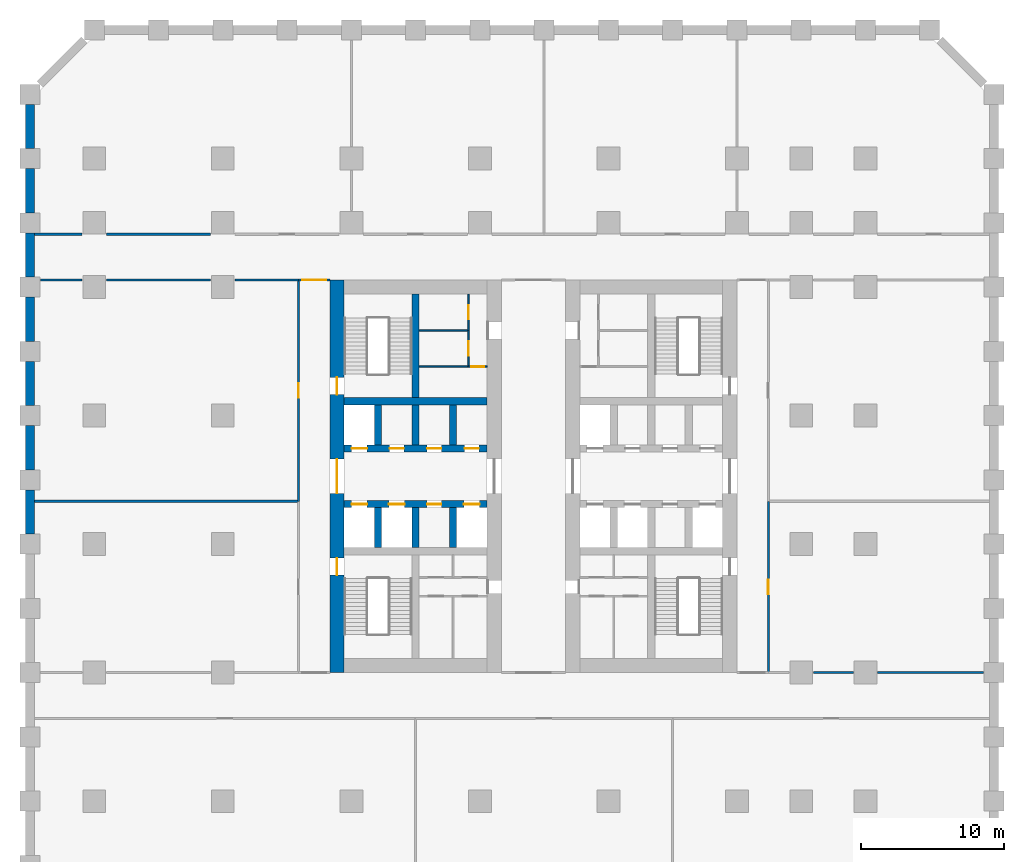
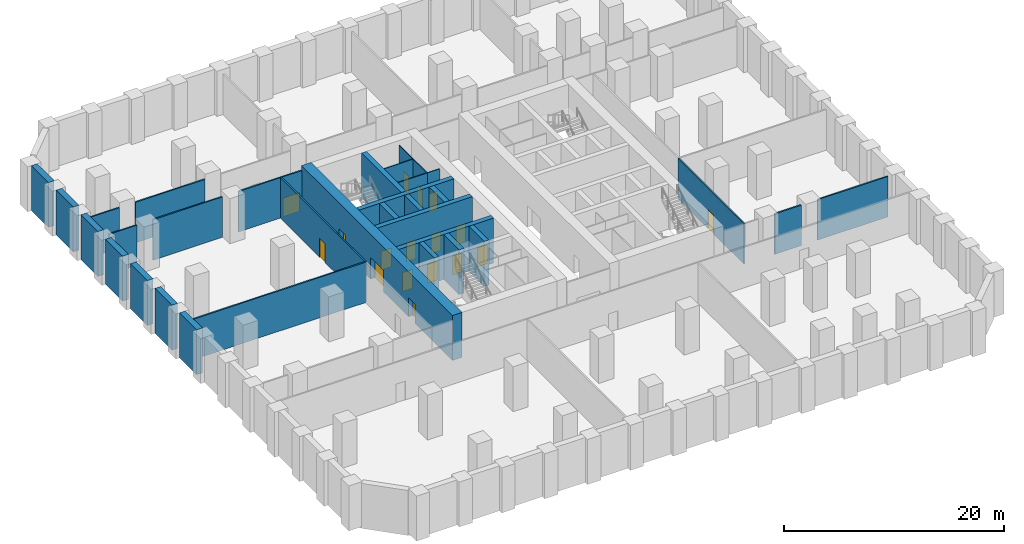
# One storey, part 3 of 7: 34 walls, 17 doors, 17 openings.
"""IFC4 building model written with IfcOpenShell, lengths in metres."""

from ifc_helpers import new_model, si_unit, direction, frame, frame_2d, origin, place, context, subcontext, project, spatial, rectangle, extrude, material, layer, layer_set, type_object, element, fill, save


model = new_model("IFC4")

# Units and contexts
model_context = context("Model", 3, precision=1e-05, world=origin(), true_north=direction((0.0, 1.0)))
body_context = subcontext(model_context, "Body", "Model", "MODEL_VIEW")
ifc_project = project(units=[si_unit("LENGTHUNIT", "METRE"), si_unit("AREAUNIT", "SQUARE_METRE"), si_unit("VOLUMEUNIT", "CUBIC_METRE"), si_unit("PLANEANGLEUNIT", "RADIAN"), si_unit("MASSUNIT", "GRAM", prefix="KILO")], contexts=[model_context])

# Site, building, storey
site_placement = place(None, origin())
site = spatial("IfcSite", under=ifc_project, at=site_placement, CompositionType="ELEMENT")
building_placement = place(site_placement, origin())
building = spatial("IfcBuilding", under=site, at=building_placement, Name="Corbel Stack Research Tower", CompositionType="ELEMENT")
storey_placement = place(building_placement, frame((0.0, 0.0, -5.0)))
storey = spatial("IfcBuildingStorey", under=building, at=storey_placement, Name="B1", CompositionType="ELEMENT", Elevation=-5.0)

# Walls
ifc_material_1 = material(Name="Concrete C45/55", Category="concrete")
ifc_layer_1 = layer(ifc_material_1, 0.60009765625)
ifc_layer_set_1 = layer_set([ifc_layer_1], Name="Concrete C45/55")
wall_type_1 = type_object("IfcWallType", Name="BW-600", PredefinedType="SOLIDWALL", material=ifc_layer_set_1)
for number, where, z_axis, x_axis, name in (
    (1, (-31.5, 30.800048828125, 0.0), (0.0, 0.0, 1.0), (0.0, -1.0, 0.0), "Basement wall B1"),
    (2, (-31.5, 26.300048828125, 0.0), (0.0, 0.0, 1.0), (0.0, -1.0, 0.0), "Basement wall B1"),
    (3, (-31.5, 21.800048828125, 0.0), (0.0, 0.0, 1.0), (0.0, -1.0, 0.0), "Basement wall B1"),
    (4, (-31.5, 17.300048828125, 0.0), (0.0, 0.0, 1.0), (0.0, -1.0, 0.0), "Basement wall B1"),
    (5, (-31.5, 12.800048828125, 0.0), (0.0, 0.0, 1.0), (0.0, -1.0, 0.0), "Basement wall B1"),
    (6, (-31.5, 8.300048828125, 0.0), (0.0, 0.0, 1.0), (0.0, -1.0, 0.0), "Basement wall B1"),
    (7, (-31.5, 3.800048828125, 0.0), (0.0, 0.0, 1.0), (0.0, -1.0, 0.0), "Basement wall B1"),
):
    element("IfcWall", number, at=place(storey_placement, frame(where, z_axis=z_axis, x_axis=x_axis)), inside=storey, type_object=wall_type_1, Name=name, PredefinedType="SOLIDWALL", context=body_context, shape_type="SweptSolid", body=[
        extrude(rectangle(XDim=3.10009765625, YDim=0.60009765625, at=frame_2d((1.550048828125, 0.0))), origin(), (0.0, 0.0, 1.0), 5.0),
    ])

# Wall, opening, door
ifc_material_2 = material(Name="Concrete block", Category="concrete")
ifc_layer_2 = layer(ifc_material_2, 0.14990234375)
ifc_layer_set_2 = layer_set([ifc_layer_2], Name="Concrete block")
wall_type_2 = type_object("IfcWallType", Name="Base partition 150 B1", PredefinedType="PARTITIONING", material=ifc_layer_set_2)
wall_1_placement = place(storey_placement, frame((-12.699951171875, 18.5, 0.0), z_axis=(0.0, 0.0, 1.0), x_axis=(1.0, 0.0, 0.0)))
wall_1 = element("IfcWall", 8, at=wall_1_placement, inside=storey, type_object=wall_type_2, Name="Partition B1", PredefinedType="PARTITIONING", context=body_context, shape_type="SweptSolid", body=[
    extrude(rectangle(XDim=2.199951171875, YDim=0.14990234375, at=frame_2d((1.10009765625, 0.0))), origin(), (0.0, 0.0, 1.0), 4.5),
])
opening_1_placement = place(wall_1_placement, frame((0.25, 0.0, 0.0)))
opening_1 = element("IfcOpeningElement", 9, at=opening_1_placement, cuts=wall_1, Name="Opening BD-B1-13", PredefinedType="OPENING", context=body_context, shape_type="SweptSolid", body=[
    extrude(rectangle(XDim=1.699951171875, YDim=2.10009765625, at=frame_2d((0.85009765625, 1.050048828125))), frame((0.0, 0.0849609375, 0.0), z_axis=(0.0, -1.0, 0.0), x_axis=(1.0, 0.0, 0.0)), (0.0, 0.0, 1.0), 0.169921875),
])
ifc_material_3 = material(Name="Painted steel fire door", Category="steel")
door_type_1 = type_object("IfcDoorType", Name="Lobby door pair 1700 x 2100 FD30S", OperationType="DOUBLE_DOOR_DOUBLE_SWING", PredefinedType="DOOR", material=ifc_material_3)
door_1_placement = place(opening_1_placement, origin())
door_1 = element("IfcDoor", 10, at=door_1_placement, inside=storey, type_object=door_type_1, Name="Stair vestibule west to Plant corridor north opening", OperationType="DOUBLE_DOOR_DOUBLE_SWING", OverallHeight=2.10009765625, OverallWidth=1.699951171875, PredefinedType="DOOR", context=body_context, shape_type="SweptSolid", body=[
    extrude(rectangle(XDim=1.699951171875, YDim=2.10009765625, at=frame_2d((0.85009765625, 1.050048828125))), frame((0.0, 0.02490234375, 0.0), z_axis=(0.0, -1.0, 0.0), x_axis=(1.0, 0.0, 0.0)), (0.0, 0.0, 1.0), 0.050048828125),
])
fill(opening_1, door_1)

wall_2_placement = place(storey_placement, frame((-12.699951171875, 3.0, 0.0), z_axis=(0.0, 0.0, 1.0), x_axis=(0.0, 1.0, 0.0)))
wall_2 = element("IfcWall", 11, at=wall_2_placement, inside=storey, type_object=wall_type_2, Name="Partition B1", PredefinedType="PARTITIONING", context=body_context, shape_type="SweptSolid", body=[
    extrude(rectangle(XDim=15.5, YDim=0.14990234375, at=frame_2d((7.75, 0.0))), origin(), (0.0, 0.0, 1.0), 4.5),
])
opening_2_placement = place(wall_2_placement, frame((7.25, 0.0, 0.0)))
opening_2 = element("IfcOpeningElement", 12, at=opening_2_placement, cuts=wall_2, Name="Opening BD-B1-05", PredefinedType="OPENING", context=body_context, shape_type="SweptSolid", body=[
    extrude(rectangle(XDim=1.0, YDim=2.10009765625, at=frame_2d((0.5, 1.050048828125))), frame((0.0, 0.0849609375, 0.0), z_axis=(0.0, -1.0, 0.0), x_axis=(1.0, 0.0, 0.0)), (0.0, 0.0, 1.0), 0.169921875),
])
ifc_material_4 = material(Name="Painted steel door", Category="steel")
door_type_2 = type_object("IfcDoorType", Name="Service door 1000 x 2100 FD60 left hand", OperationType="SINGLE_SWING_LEFT", PredefinedType="DOOR", material=ifc_material_4)
door_2_placement = place(opening_2_placement, origin())
door_2 = element("IfcDoor", 13, at=door_2_placement, inside=storey, type_object=door_type_2, Name="Laboratory support store door", OperationType="SINGLE_SWING_LEFT", OverallHeight=2.10009765625, OverallWidth=1.0, PredefinedType="DOOR", context=body_context, shape_type="SweptSolid", body=[
    extrude(rectangle(XDim=1.0, YDim=2.10009765625, at=frame_2d((0.5, 1.050048828125))), frame((0.0, 0.02490234375, 0.0), z_axis=(0.0, -1.0, 0.0), x_axis=(1.0, 0.0, 0.0)), (0.0, 0.0, 1.0), 0.050048828125),
])
fill(opening_2, door_2)

wall_3_placement = place(storey_placement, frame((20.199951171875, -9.0, 0.0), z_axis=(0.0, 0.0, 1.0), x_axis=(0.0, 1.0, 0.0)))
wall_3 = element("IfcWall", 14, at=wall_3_placement, inside=storey, type_object=wall_type_2, Name="Partition B1", PredefinedType="PARTITIONING", context=body_context, shape_type="SweptSolid", body=[
    extrude(rectangle(XDim=12.0, YDim=0.14990234375, at=frame_2d((6.0, 0.0))), origin(), (0.0, 0.0, 1.0), 4.5),
])
opening_3_placement = place(wall_3_placement, frame((5.5, 0.0, 0.0)))
opening_3 = element("IfcOpeningElement", 15, at=opening_3_placement, cuts=wall_3, Name="Opening BD-B1-06", PredefinedType="OPENING", context=body_context, shape_type="SweptSolid", body=[
    extrude(rectangle(XDim=1.0, YDim=2.10009765625, at=frame_2d((0.5, 1.050048828125))), frame((0.0, 0.0849609375, 0.0), z_axis=(0.0, -1.0, 0.0), x_axis=(1.0, 0.0, 0.0)), (0.0, 0.0, 1.0), 0.169921875),
])
ifc_material_5 = material(Name="Painted steel door", Category="steel")
door_type_3 = type_object("IfcDoorType", Name="Riser door 1000 x 2100 FD60 right hand", OperationType="SINGLE_SWING_RIGHT", PredefinedType="DOOR", material=ifc_material_5)
door_3_placement = place(opening_3_placement, origin())
door_3 = element("IfcDoor", 16, at=door_3_placement, inside=storey, type_object=door_type_3, Name="Electrical switchgear room door", OperationType="SINGLE_SWING_RIGHT", OverallHeight=2.10009765625, OverallWidth=1.0, PredefinedType="DOOR", context=body_context, shape_type="SweptSolid", body=[
    extrude(rectangle(XDim=1.0, YDim=2.10009765625, at=frame_2d((0.5, 1.050048828125))), frame((0.0, 0.02490234375, 0.0), z_axis=(0.0, -1.0, 0.0), x_axis=(1.0, 0.0, 0.0)), (0.0, 0.0, 1.0), 0.050048828125),
])
fill(opening_3, door_3)

# Walls
wall_4_placement = place(storey_placement, frame((27.85009765625, -9.0, 0.0), z_axis=(0.0, 0.0, 1.0), x_axis=(1.0, 0.0, 0.0)))
element("IfcWall", 17, at=wall_4_placement, inside=storey, type_object=wall_type_2, Name="Partition B1", PredefinedType="PARTITIONING", context=body_context, shape_type="SweptSolid", body=[
    extrude(rectangle(XDim=7.39990234375, YDim=0.14990234375, at=frame_2d((3.699951171875, 0.0))), origin(), (0.0, 0.0, 1.0), 4.5),
])
wall_5_placement = place(storey_placement, frame((23.35009765625, -9.0, 0.0), z_axis=(0.0, 0.0, 1.0), x_axis=(1.0, 0.0, 0.0)))
element("IfcWall", 18, at=wall_5_placement, inside=storey, type_object=wall_type_2, Name="Partition B1", PredefinedType="PARTITIONING", context=body_context, shape_type="SweptSolid", body=[
    extrude(rectangle(XDim=2.7998046875, YDim=0.14990234375, at=frame_2d((1.39990234375, 0.0))), origin(), (0.0, 0.0, 1.0), 4.5),
])
wall_6_placement = place(storey_placement, frame((-30.75, 18.5, 0.0), z_axis=(0.0, 0.0, 1.0), x_axis=(1.0, 0.0, 0.0)))
element("IfcWall", 19, at=wall_6_placement, inside=storey, type_object=wall_type_2, Name="Partition B1", PredefinedType="PARTITIONING", context=body_context, shape_type="SweptSolid", body=[
    extrude(rectangle(XDim=2.89990234375, YDim=0.14990234375, at=frame_2d((1.449951171875, 0.0))), origin(), (0.0, 0.0, 1.0), 4.5),
])
wall_7_placement = place(storey_placement, frame((-26.14990234375, 18.5, 0.0), z_axis=(0.0, 0.0, 1.0), x_axis=(1.0, 0.0, 0.0)))
element("IfcWall", 20, at=wall_7_placement, inside=storey, type_object=wall_type_2, Name="Partition B1", PredefinedType="PARTITIONING", context=body_context, shape_type="SweptSolid", body=[
    extrude(rectangle(XDim=7.2998046875, YDim=0.14990234375, at=frame_2d((3.64990234375, 0.0))), origin(), (0.0, 0.0, 1.0), 4.5),
])
wall_8_placement = place(storey_placement, frame((-17.14990234375, 18.5, 0.0), z_axis=(0.0, 0.0, 1.0), x_axis=(1.0, 0.0, 0.0)))
element("IfcWall", 21, at=wall_8_placement, inside=storey, type_object=wall_type_2, Name="Partition B1", PredefinedType="PARTITIONING", context=body_context, shape_type="SweptSolid", body=[
    extrude(rectangle(XDim=4.449951171875, YDim=0.14990234375, at=frame_2d((2.22509765625, 0.0))), origin(), (0.0, 0.0, 1.0), 4.5),
])
wall_9_placement = place(storey_placement, frame((-26.14990234375, 21.699951171875, 0.0), z_axis=(0.0, 0.0, 1.0), x_axis=(1.0, 0.0, 0.0)))
element("IfcWall", 22, at=wall_9_placement, inside=storey, type_object=wall_type_2, Name="Partition B1", PredefinedType="PARTITIONING", context=body_context, shape_type="SweptSolid", body=[
    extrude(rectangle(XDim=7.2998046875, YDim=0.14990234375, at=frame_2d((3.64990234375, 0.0))), origin(), (0.0, 0.0, 1.0), 4.5),
])
wall_10_placement = place(storey_placement, frame((-31.199951171875, 21.699951171875, 0.0), z_axis=(0.0, 0.0, 1.0), x_axis=(1.0, 0.0, 0.0)))
element("IfcWall", 23, at=wall_10_placement, inside=storey, type_object=wall_type_2, Name="Partition B1", PredefinedType="PARTITIONING", context=body_context, shape_type="SweptSolid", body=[
    extrude(rectangle(XDim=3.349853515625, YDim=0.14990234375, at=frame_2d((1.6748046875, 0.0))), origin(), (0.0, 0.0, 1.0), 4.5),
])
wall_11_placement = place(storey_placement, frame((-31.199951171875, 3.0, 0.0), z_axis=(0.0, 0.0, 1.0), x_axis=(1.0, 0.0, 0.0)))
element("IfcWall", 24, at=wall_11_placement, inside=storey, type_object=wall_type_2, Name="Partition B1", PredefinedType="PARTITIONING", context=body_context, shape_type="SweptSolid", body=[
    extrude(rectangle(XDim=18.5, YDim=0.14990234375, at=frame_2d((9.25, 0.0))), origin(), (0.0, 0.0, 1.0), 4.5),
])

# Wall, openings, doors
ifc_material_6 = material(Name="Concrete C70/85", Category="concrete")
ifc_layer_3 = layer(ifc_material_6, 1.0)
ifc_layer_set_3 = layer_set([ifc_layer_3], Name="Concrete C70/85")
wall_type_3 = type_object("IfcWallType", Name="CW-1000-70", PredefinedType="SHEAR", material=ifc_layer_set_3)
wall_12_placement = place(storey_placement, frame((-10.0, -9.0, 0.0), z_axis=(0.0, 0.0, 1.0), x_axis=(0.0, 1.0, 0.0)))
wall_12 = element("IfcWall", 25, at=wall_12_placement, inside=storey, type_object=wall_type_3, Name="West core wall, west face B1", PredefinedType="SHEAR", context=body_context, shape_type="SweptSolid", body=[
    extrude(rectangle(XDim=27.5, YDim=1.0, at=frame_2d((13.75, 0.0))), origin(), (0.0, 0.0, 1.0), 5.0),
])
opening_4_placement = place(wall_12_placement, frame((12.550048828125, 0.0, 0.0)))
opening_4 = element("IfcOpeningElement", 26, at=opening_4_placement, cuts=wall_12, Name="Opening CD-W-W", PredefinedType="OPENING", context=body_context, shape_type="SweptSolid", body=[
    extrude(rectangle(XDim=2.39990234375, YDim=2.39990234375, at=frame_2d((1.199951171875, 1.199951171875))), frame((0.0, 0.510009765625, 0.0), z_axis=(0.0, -1.0, 0.0), x_axis=(1.0, 0.0, 0.0)), (0.0, 0.0, 1.0), 1.02001953125),
])
opening_5_placement = place(wall_12_placement, frame((6.824951171875, 0.0, 0.0)))
opening_5 = element("IfcOpeningElement", 27, at=opening_5_placement, cuts=wall_12, Name="Opening SD-ST-W1", PredefinedType="OPENING", context=body_context, shape_type="SweptSolid", body=[
    extrude(rectangle(XDim=1.199951171875, YDim=2.10009765625, at=frame_2d((0.60009765625, 1.050048828125))), frame((0.0, 0.510009765625, 0.0), z_axis=(0.0, -1.0, 0.0), x_axis=(1.0, 0.0, 0.0)), (0.0, 0.0, 1.0), 1.02001953125),
])
opening_6_placement = place(wall_12_placement, frame((19.47509765625, 0.0, 0.0)))
opening_6 = element("IfcOpeningElement", 28, at=opening_6_placement, cuts=wall_12, Name="Opening SD-ST-W2", PredefinedType="OPENING", context=body_context, shape_type="SweptSolid", body=[
    extrude(rectangle(XDim=1.199951171875, YDim=2.10009765625, at=frame_2d((0.60009765625, 1.050048828125))), frame((0.0, 0.510009765625, 0.0), z_axis=(0.0, -1.0, 0.0), x_axis=(1.0, 0.0, 0.0)), (0.0, 0.0, 1.0), 1.02001953125),
])
ifc_material_7 = material(Name="Painted steel fire door", Category="steel")
door_type_4 = type_object("IfcDoorType", Name="Lobby door pair 2400 x 2400 FD30S", OperationType="DOUBLE_DOOR_DOUBLE_SWING", PredefinedType="DOOR", material=ifc_material_7)
door_4_placement = place(opening_4_placement, origin())
door_4 = element("IfcDoor", 29, at=door_4_placement, inside=storey, type_object=door_type_4, Name="Lift lobby door W core W", OperationType="DOUBLE_DOOR_DOUBLE_SWING", OverallHeight=2.39990234375, OverallWidth=2.39990234375, PredefinedType="DOOR", context=body_context, shape_type="SweptSolid", body=[
    extrude(rectangle(XDim=2.39990234375, YDim=2.39990234375, at=frame_2d((1.199951171875, 1.199951171875))), frame((0.0, 0.02490234375, 0.0), z_axis=(0.0, -1.0, 0.0), x_axis=(1.0, 0.0, 0.0)), (0.0, 0.0, 1.0), 0.050048828125),
])
fill(opening_4, door_4)
ifc_material_8 = material(Name="Painted steel fire door", Category="steel")
door_type_5 = type_object("IfcDoorType", Name="Stair door 1200 x 2100 FD90 left hand", OperationType="SINGLE_SWING_LEFT", PredefinedType="DOOR", material=ifc_material_8)
door_5_placement = place(opening_5_placement, origin())
door_5 = element("IfcDoor", 30, at=door_5_placement, inside=storey, type_object=door_type_5, Name="Stair door ST-W1", OperationType="SINGLE_SWING_LEFT", OverallHeight=2.10009765625, OverallWidth=1.199951171875, PredefinedType="DOOR", context=body_context, shape_type="SweptSolid", body=[
    extrude(rectangle(XDim=1.199951171875, YDim=2.10009765625, at=frame_2d((0.60009765625, 1.050048828125))), frame((0.0, 0.02490234375, 0.0), z_axis=(0.0, -1.0, 0.0), x_axis=(1.0, 0.0, 0.0)), (0.0, 0.0, 1.0), 0.050048828125),
])
fill(opening_5, door_5)
door_6_placement = place(opening_6_placement, origin())
door_6 = element("IfcDoor", 31, at=door_6_placement, inside=storey, type_object=door_type_5, Name="Stair door ST-W2", OperationType="SINGLE_SWING_LEFT", OverallHeight=2.10009765625, OverallWidth=1.199951171875, PredefinedType="DOOR", context=body_context, shape_type="SweptSolid", body=[
    extrude(rectangle(XDim=1.199951171875, YDim=2.10009765625, at=frame_2d((0.60009765625, 1.050048828125))), frame((0.0, 0.02490234375, 0.0), z_axis=(0.0, -1.0, 0.0), x_axis=(1.0, 0.0, 0.0)), (0.0, 0.0, 1.0), 0.050048828125),
])
fill(opening_6, door_6)

ifc_material_9 = material(Name="Concrete C70/85", Category="concrete")
ifc_layer_4 = layer(ifc_material_9, 0.5)
ifc_layer_set_4 = layer_set([ifc_layer_4], Name="Concrete C70/85")
wall_type_4 = type_object("IfcWallType", Name="CW-500-70", PredefinedType="SHEAR", material=ifc_layer_set_4)
wall_13_placement = place(storey_placement, frame((-9.5, 2.800048828125, 0.0), z_axis=(0.0, 0.0, 1.0), x_axis=(1.0, 0.0, 0.0)))
wall_13 = element("IfcWall", 32, at=wall_13_placement, inside=storey, type_object=wall_type_4, Name="West core wall, lobby south B1", PredefinedType="SHEAR", context=body_context, shape_type="SweptSolid", body=[
    extrude(rectangle(XDim=10.0, YDim=0.5, at=frame_2d((5.0, 0.0))), origin(), (0.0, 0.0, 1.0), 5.0),
])
opening_7_placement = place(wall_13_placement, frame((0.512451171875, 0.0, 0.0)))
opening_7 = element("IfcOpeningElement", 33, at=opening_7_placement, cuts=wall_13, Name="Opening LD-FS1", PredefinedType="OPENING", context=body_context, shape_type="SweptSolid", body=[
    extrude(rectangle(XDim=1.10009765625, YDim=2.10009765625, at=frame_2d((0.550048828125, 1.050048828125))), frame((0.0, 0.260009765625, 0.0), z_axis=(0.0, -1.0, 0.0), x_axis=(1.0, 0.0, 0.0)), (0.0, 0.0, 1.0), 0.52001953125),
])
opening_8_placement = place(wall_13_placement, frame((3.137451171875, 0.0, 0.0)))
opening_8 = element("IfcOpeningElement", 34, at=opening_8_placement, cuts=wall_13, Name="Opening LD-GL1", PredefinedType="OPENING", context=body_context, shape_type="SweptSolid", body=[
    extrude(rectangle(XDim=1.10009765625, YDim=2.10009765625, at=frame_2d((0.550048828125, 1.050048828125))), frame((0.0, 0.260009765625, 0.0), z_axis=(0.0, -1.0, 0.0), x_axis=(1.0, 0.0, 0.0)), (0.0, 0.0, 1.0), 0.52001953125),
])
opening_9_placement = place(wall_13_placement, frame((8.387451171875, 0.0, 0.0)))
opening_9 = element("IfcOpeningElement", 35, at=opening_9_placement, cuts=wall_13, Name="Opening LD-LR1", PredefinedType="OPENING", context=body_context, shape_type="SweptSolid", body=[
    extrude(rectangle(XDim=1.10009765625, YDim=2.10009765625, at=frame_2d((0.550048828125, 1.050048828125))), frame((0.0, 0.260009765625, 0.0), z_axis=(0.0, -1.0, 0.0), x_axis=(1.0, 0.0, 0.0)), (0.0, 0.0, 1.0), 0.52001953125),
])
opening_10_placement = place(wall_13_placement, frame((5.8125, 0.0, 0.0)))
opening_10 = element("IfcOpeningElement", 36, at=opening_10_placement, cuts=wall_13, Name="Opening CR-W54-S3", PredefinedType="OPENING", context=body_context, shape_type="SweptSolid", body=[
    extrude(rectangle(XDim=1.0, YDim=2.10009765625, at=frame_2d((0.5, 1.050048828125))), frame((0.0, 0.260009765625, 0.0), z_axis=(0.0, -1.0, 0.0), x_axis=(1.0, 0.0, 0.0)), (0.0, 0.0, 1.0), 0.52001953125),
])
ifc_material_10 = material(Name="Stainless steel landing door", Category="steel")
door_type_6 = type_object("IfcDoorType", Name="Lift landing door 1100 x 2100", OperationType="DOUBLE_DOOR_SLIDING", PredefinedType="DOOR", material=ifc_material_10)
door_7_placement = place(opening_7_placement, origin())
door_7 = element("IfcDoor", 37, at=door_7_placement, inside=storey, type_object=door_type_6, Name="Landing door FS1", OperationType="DOUBLE_DOOR_SLIDING", OverallHeight=2.10009765625, OverallWidth=1.10009765625, PredefinedType="DOOR", context=body_context, shape_type="SweptSolid", body=[
    extrude(rectangle(XDim=1.10009765625, YDim=2.10009765625, at=frame_2d((0.550048828125, 1.050048828125))), frame((0.0, 0.02490234375, 0.0), z_axis=(0.0, -1.0, 0.0), x_axis=(1.0, 0.0, 0.0)), (0.0, 0.0, 1.0), 0.050048828125),
])
fill(opening_7, door_7)
door_8_placement = place(opening_8_placement, origin())
door_8 = element("IfcDoor", 38, at=door_8_placement, inside=storey, type_object=door_type_6, Name="Landing door GL1", OperationType="DOUBLE_DOOR_SLIDING", OverallHeight=2.10009765625, OverallWidth=1.10009765625, PredefinedType="DOOR", context=body_context, shape_type="SweptSolid", body=[
    extrude(rectangle(XDim=1.10009765625, YDim=2.10009765625, at=frame_2d((0.550048828125, 1.050048828125))), frame((0.0, 0.02490234375, 0.0), z_axis=(0.0, -1.0, 0.0), x_axis=(1.0, 0.0, 0.0)), (0.0, 0.0, 1.0), 0.050048828125),
])
fill(opening_8, door_8)
door_9_placement = place(opening_9_placement, origin())
door_9 = element("IfcDoor", 39, at=door_9_placement, inside=storey, type_object=door_type_6, Name="Landing door LR1", OperationType="DOUBLE_DOOR_SLIDING", OverallHeight=2.10009765625, OverallWidth=1.10009765625, PredefinedType="DOOR", context=body_context, shape_type="SweptSolid", body=[
    extrude(rectangle(XDim=1.10009765625, YDim=2.10009765625, at=frame_2d((0.550048828125, 1.050048828125))), frame((0.0, 0.02490234375, 0.0), z_axis=(0.0, -1.0, 0.0), x_axis=(1.0, 0.0, 0.0)), (0.0, 0.0, 1.0), 0.050048828125),
])
fill(opening_9, door_9)
door_10_placement = place(opening_10_placement, origin())
door_10 = element("IfcDoor", 40, at=door_10_placement, inside=storey, type_object=door_type_2, Name="Electrical switch room door W core", OperationType="SINGLE_SWING_LEFT", OverallHeight=2.10009765625, OverallWidth=1.0, PredefinedType="DOOR", context=body_context, shape_type="SweptSolid", body=[
    extrude(rectangle(XDim=1.0, YDim=2.10009765625, at=frame_2d((0.5, 1.050048828125))), frame((0.0, 0.02490234375, 0.0), z_axis=(0.0, -1.0, 0.0), x_axis=(1.0, 0.0, 0.0)), (0.0, 0.0, 1.0), 0.050048828125),
])
fill(opening_10, door_10)

wall_14_placement = place(storey_placement, frame((-9.5, 6.699951171875, 0.0), z_axis=(0.0, 0.0, 1.0), x_axis=(1.0, 0.0, 0.0)))
wall_14 = element("IfcWall", 41, at=wall_14_placement, inside=storey, type_object=wall_type_4, Name="West core wall, lobby north B1", PredefinedType="SHEAR", context=body_context, shape_type="SweptSolid", body=[
    extrude(rectangle(XDim=10.0, YDim=0.5, at=frame_2d((5.0, 0.0))), origin(), (0.0, 0.0, 1.0), 5.0),
])
opening_11_placement = place(wall_14_placement, frame((0.512451171875, 0.0, 0.0)))
opening_11 = element("IfcOpeningElement", 42, at=opening_11_placement, cuts=wall_14, Name="Opening LD-LR2", PredefinedType="OPENING", context=body_context, shape_type="SweptSolid", body=[
    extrude(rectangle(XDim=1.10009765625, YDim=2.10009765625, at=frame_2d((0.550048828125, 1.050048828125))), frame((0.0, 0.260009765625, 0.0), z_axis=(0.0, -1.0, 0.0), x_axis=(1.0, 0.0, 0.0)), (0.0, 0.0, 1.0), 0.52001953125),
])
opening_12_placement = place(wall_14_placement, frame((3.1875, 0.0, 0.0)))
opening_12 = element("IfcOpeningElement", 43, at=opening_12_placement, cuts=wall_14, Name="Opening CR-W54-N2", PredefinedType="OPENING", context=body_context, shape_type="SweptSolid", body=[
    extrude(rectangle(XDim=1.0, YDim=2.10009765625, at=frame_2d((0.5, 1.050048828125))), frame((0.0, 0.260009765625, 0.0), z_axis=(0.0, -1.0, 0.0), x_axis=(1.0, 0.0, 0.0)), (0.0, 0.0, 1.0), 0.52001953125),
])
opening_13_placement = place(wall_14_placement, frame((5.8125, 0.0, 0.0)))
opening_13 = element("IfcOpeningElement", 44, at=opening_13_placement, cuts=wall_14, Name="Opening CR-W54-N3", PredefinedType="OPENING", context=body_context, shape_type="SweptSolid", body=[
    extrude(rectangle(XDim=1.0, YDim=2.10009765625, at=frame_2d((0.5, 1.050048828125))), frame((0.0, 0.260009765625, 0.0), z_axis=(0.0, -1.0, 0.0), x_axis=(1.0, 0.0, 0.0)), (0.0, 0.0, 1.0), 0.52001953125),
])
opening_14_placement = place(wall_14_placement, frame((8.4375, 0.0, 0.0)))
opening_14 = element("IfcOpeningElement", 45, at=opening_14_placement, cuts=wall_14, Name="Opening CR-W54-N4", PredefinedType="OPENING", context=body_context, shape_type="SweptSolid", body=[
    extrude(rectangle(XDim=1.0, YDim=2.10009765625, at=frame_2d((0.5, 1.050048828125))), frame((0.0, 0.260009765625, 0.0), z_axis=(0.0, -1.0, 0.0), x_axis=(1.0, 0.0, 0.0)), (0.0, 0.0, 1.0), 0.52001953125),
])
door_11_placement = place(opening_11_placement, origin())
door_11 = element("IfcDoor", 46, at=door_11_placement, inside=storey, type_object=door_type_6, Name="Landing door LR2", OperationType="DOUBLE_DOOR_SLIDING", OverallHeight=2.10009765625, OverallWidth=1.10009765625, PredefinedType="DOOR", context=body_context, shape_type="SweptSolid", body=[
    extrude(rectangle(XDim=1.10009765625, YDim=2.10009765625, at=frame_2d((0.550048828125, 1.050048828125))), frame((0.0, 0.02490234375, 0.0), z_axis=(0.0, -1.0, 0.0), x_axis=(1.0, 0.0, 0.0)), (0.0, 0.0, 1.0), 0.050048828125),
])
fill(opening_11, door_11)
door_12_placement = place(opening_13_placement, origin())
door_12 = element("IfcDoor", 47, at=door_12_placement, inside=storey, type_object=door_type_2, Name="Telecom room door W core", OperationType="SINGLE_SWING_LEFT", OverallHeight=2.10009765625, OverallWidth=1.0, PredefinedType="DOOR", context=body_context, shape_type="SweptSolid", body=[
    extrude(rectangle(XDim=1.0, YDim=2.10009765625, at=frame_2d((0.5, 1.050048828125))), frame((0.0, 0.02490234375, 0.0), z_axis=(0.0, -1.0, 0.0), x_axis=(1.0, 0.0, 0.0)), (0.0, 0.0, 1.0), 0.050048828125),
])
fill(opening_13, door_12)
ifc_material_11 = material(Name="Painted steel door", Category="steel")
door_type_7 = type_object("IfcDoorType", Name="Service door 1000 x 2100 FD60 right hand", OperationType="SINGLE_SWING_RIGHT", PredefinedType="DOOR", material=ifc_material_11)
door_13_placement = place(opening_12_placement, origin())
door_13 = element("IfcDoor", 48, at=door_13_placement, inside=storey, type_object=door_type_7, Name="Pump room door W core", OperationType="SINGLE_SWING_RIGHT", OverallHeight=2.10009765625, OverallWidth=1.0, PredefinedType="DOOR", context=body_context, shape_type="SweptSolid", body=[
    extrude(rectangle(XDim=1.0, YDim=2.10009765625, at=frame_2d((0.5, 1.050048828125))), frame((0.0, 0.02490234375, 0.0), z_axis=(0.0, -1.0, 0.0), x_axis=(1.0, 0.0, 0.0)), (0.0, 0.0, 1.0), 0.050048828125),
])
fill(opening_12, door_13)
door_14_placement = place(opening_14_placement, origin())
door_14 = element("IfcDoor", 49, at=door_14_placement, inside=storey, type_object=door_type_7, Name="Electrical switch room door W core", OperationType="SINGLE_SWING_RIGHT", OverallHeight=2.10009765625, OverallWidth=1.0, PredefinedType="DOOR", context=body_context, shape_type="SweptSolid", body=[
    extrude(rectangle(XDim=1.0, YDim=2.10009765625, at=frame_2d((0.5, 1.050048828125))), frame((0.0, 0.02490234375, 0.0), z_axis=(0.0, -1.0, 0.0), x_axis=(1.0, 0.0, 0.0)), (0.0, 0.0, 1.0), 0.050048828125),
])
fill(opening_14, door_14)

# Walls
wall_15_placement = place(storey_placement, frame((-9.5, 10.0, 0.0), z_axis=(0.0, 0.0, 1.0), x_axis=(1.0, 0.0, 0.0)))
element("IfcWall", 50, at=wall_15_placement, inside=storey, type_object=wall_type_4, Name="West core wall, north row back B1", PredefinedType="SHEAR", context=body_context, shape_type="SweptSolid", body=[
    extrude(rectangle(XDim=10.0, YDim=0.5, at=frame_2d((5.0, 0.0))), origin(), (0.0, 0.0, 1.0), 5.0),
])
for number, where, z_axis, x_axis, name in (
    (51, (-7.125, -0.25, 0.0), (0.0, 0.0, 1.0), (0.0, 1.0, 0.0), "West core wall, south shaft 1 B1"),
    (52, (-7.125, 6.949951171875, 0.0), (0.0, 0.0, 1.0), (0.0, 1.0, 0.0), "West core wall, north shaft 1 B1"),
    (53, (-4.5, -0.25, 0.0), (0.0, 0.0, 1.0), (0.0, 1.0, 0.0), "West core wall, south shaft 2 B1"),
    (54, (-4.5, 6.949951171875, 0.0), (0.0, 0.0, 1.0), (0.0, 1.0, 0.0), "West core wall, north shaft 2 B1"),
    (55, (-1.875, -0.25, 0.0), (0.0, 0.0, 1.0), (0.0, 1.0, 0.0), "West core wall, south shaft 3 B1"),
    (56, (-1.875, 6.949951171875, 0.0), (0.0, 0.0, 1.0), (0.0, 1.0, 0.0), "West core wall, north shaft 3 B1"),
):
    element("IfcWall", number, at=place(storey_placement, frame(where, z_axis=z_axis, x_axis=x_axis)), inside=storey, type_object=wall_type_4, Name=name, PredefinedType="SHEAR", context=body_context, shape_type="SweptSolid", body=[
        extrude(rectangle(XDim=2.800048828125, YDim=0.5, at=frame_2d((1.39990234375, 0.0))), origin(), (0.0, 0.0, 1.0), 5.0),
    ])
wall_16_placement = place(storey_placement, frame((-4.5, 10.25, 0.0), z_axis=(0.0, 0.0, 1.0), x_axis=(0.0, 1.0, 0.0)))
element("IfcWall", 57, at=wall_16_placement, inside=storey, type_object=wall_type_4, Name="West core wall, north stair and riser B1", PredefinedType="SHEAR", context=body_context, shape_type="SweptSolid", body=[
    extrude(rectangle(XDim=7.25, YDim=0.5, at=frame_2d((3.625, 0.0))), origin(), (0.0, 0.0, 1.0), 5.0),
])

# Wall, opening, door
ifc_material_12 = material(Name="Gypsum board")
ifc_layer_5 = layer(ifc_material_12, 0.10009765625)
ifc_layer_set_5 = layer_set([ifc_layer_5], Name="Gypsum board")
wall_type_5 = type_object("IfcWallType", Name="Core partition 100", PredefinedType="PARTITIONING", material=ifc_layer_set_5)
wall_17_placement = place(storey_placement, frame((-0.800048828125, 12.425048828125, 0.0), z_axis=(0.0, 0.0, 1.0), x_axis=(1.0, 0.0, 0.0)))
wall_17 = element("IfcWall", 58, at=wall_17_placement, inside=storey, type_object=wall_type_5, Name="Core partition W", PredefinedType="PARTITIONING", context=body_context, shape_type="SweptSolid", body=[
    extrude(rectangle(XDim=1.300048828125, YDim=0.10009765625, at=frame_2d((0.64990234375, 0.0))), origin(), (0.0, 0.0, 1.0), 4.5),
])
opening_15_placement = place(wall_17_placement, frame((0.199951171875, 0.0, 0.0)))
opening_15 = element("IfcOpeningElement", 59, at=opening_15_placement, cuts=wall_17, Name="Opening CR-W54-R1-900", PredefinedType="OPENING", context=body_context, shape_type="SweptSolid", body=[
    extrude(rectangle(XDim=0.89990234375, YDim=2.10009765625, at=frame_2d((0.449951171875, 1.050048828125))), frame((0.0, 0.06005859375, 0.0), z_axis=(0.0, -1.0, 0.0), x_axis=(1.0, 0.0, 0.0)), (0.0, 0.0, 1.0), 0.1201171875),
])
ifc_material_13 = material(Name="Painted steel door", Category="steel")
door_type_8 = type_object("IfcDoorType", Name="Riser door 900 x 2100 FD60 left hand", OperationType="SINGLE_SWING_LEFT", PredefinedType="DOOR", material=ifc_material_13)
door_15_placement = place(opening_15_placement, origin())
door_15 = element("IfcDoor", 60, at=door_15_placement, inside=storey, type_object=door_type_8, Name="Electrical riser door W core", OperationType="SINGLE_SWING_LEFT", OverallHeight=2.10009765625, OverallWidth=0.89990234375, PredefinedType="DOOR", context=body_context, shape_type="SweptSolid", body=[
    extrude(rectangle(XDim=0.89990234375, YDim=2.10009765625, at=frame_2d((0.449951171875, 1.050048828125))), frame((0.0, 0.02490234375, 0.0), z_axis=(0.0, -1.0, 0.0), x_axis=(1.0, 0.0, 0.0)), (0.0, 0.0, 1.0), 0.050048828125),
])
fill(opening_15, door_15)

# Wall
wall_18_placement = place(storey_placement, frame((-4.25, 12.425048828125, 0.0), z_axis=(0.0, 0.0, 1.0), x_axis=(1.0, 0.0, 0.0)))
element("IfcWall", 61, at=wall_18_placement, inside=storey, type_object=wall_type_5, Name="Core partition W", PredefinedType="PARTITIONING", context=body_context, shape_type="SweptSolid", body=[
    extrude(rectangle(XDim=3.449951171875, YDim=0.10009765625, at=frame_2d((1.72509765625, 0.0))), origin(), (0.0, 0.0, 1.0), 4.5),
])

# Wall, opening, door
wall_19_placement = place(storey_placement, frame((-0.800048828125, 12.425048828125, 0.0), z_axis=(0.0, 0.0, 1.0), x_axis=(0.0, 1.0, 0.0)))
wall_19 = element("IfcWall", 62, at=wall_19_placement, inside=storey, type_object=wall_type_5, Name="Core partition W", PredefinedType="PARTITIONING", context=body_context, shape_type="SweptSolid", body=[
    extrude(rectangle(XDim=2.537353515625, YDim=0.10009765625, at=frame_2d((1.2685546875, 0.0))), origin(), (0.0, 0.0, 1.0), 4.5),
])
opening_16_placement = place(wall_19_placement, frame((0.768798828125, 0.0, 0.0)))
opening_16 = element("IfcOpeningElement", 63, at=opening_16_placement, cuts=wall_19, Name="Opening CR-W54-R3-1000", PredefinedType="OPENING", context=body_context, shape_type="SweptSolid", body=[
    extrude(rectangle(XDim=1.0, YDim=2.10009765625, at=frame_2d((0.5, 1.050048828125))), frame((0.0, 0.06005859375, 0.0), z_axis=(0.0, -1.0, 0.0), x_axis=(1.0, 0.0, 0.0)), (0.0, 0.0, 1.0), 0.1201171875),
])
ifc_material_14 = material(Name="Painted steel door", Category="steel")
door_type_9 = type_object("IfcDoorType", Name="Service door 1000 x 2100 FD30 left hand", OperationType="SINGLE_SWING_LEFT", PredefinedType="DOOR", material=ifc_material_14)
door_16_placement = place(opening_16_placement, origin())
door_16 = element("IfcDoor", 64, at=door_16_placement, inside=storey, type_object=door_type_9, Name="Pantry door W core", OperationType="SINGLE_SWING_LEFT", OverallHeight=2.10009765625, OverallWidth=1.0, PredefinedType="DOOR", context=body_context, shape_type="SweptSolid", body=[
    extrude(rectangle(XDim=1.0, YDim=2.10009765625, at=frame_2d((0.5, 1.050048828125))), frame((0.0, 0.02490234375, 0.0), z_axis=(0.0, -1.0, 0.0), x_axis=(1.0, 0.0, 0.0)), (0.0, 0.0, 1.0), 0.050048828125),
])
fill(opening_16, door_16)

wall_20_placement = place(storey_placement, frame((-0.800048828125, 14.96240234375, 0.0), z_axis=(0.0, 0.0, 1.0), x_axis=(0.0, 1.0, 0.0)))
wall_20 = element("IfcWall", 65, at=wall_20_placement, inside=storey, type_object=wall_type_5, Name="Core partition W", PredefinedType="PARTITIONING", context=body_context, shape_type="SweptSolid", body=[
    extrude(rectangle(XDim=2.53759765625, YDim=0.10009765625, at=frame_2d((1.268798828125, 0.0))), origin(), (0.0, 0.0, 1.0), 4.5),
])
opening_17_placement = place(wall_20_placement, frame((0.768798828125, 0.0, 0.0)))
opening_17 = element("IfcOpeningElement", 66, at=opening_17_placement, cuts=wall_20, Name="Opening CR-W54-R4-1000", PredefinedType="OPENING", context=body_context, shape_type="SweptSolid", body=[
    extrude(rectangle(XDim=1.0, YDim=2.10009765625, at=frame_2d((0.5, 1.050048828125))), frame((0.0, 0.06005859375, 0.0), z_axis=(0.0, -1.0, 0.0), x_axis=(1.0, 0.0, 0.0)), (0.0, 0.0, 1.0), 0.1201171875),
])
ifc_material_15 = material(Name="Painted steel door", Category="steel")
door_type_10 = type_object("IfcDoorType", Name="Service door 1000 x 2100 FD30 right hand", OperationType="SINGLE_SWING_RIGHT", PredefinedType="DOOR", material=ifc_material_15)
door_17_placement = place(opening_17_placement, origin())
door_17 = element("IfcDoor", 67, at=door_17_placement, inside=storey, type_object=door_type_10, Name="Copy and supply store door W core", OperationType="SINGLE_SWING_RIGHT", OverallHeight=2.10009765625, OverallWidth=1.0, PredefinedType="DOOR", context=body_context, shape_type="SweptSolid", body=[
    extrude(rectangle(XDim=1.0, YDim=2.10009765625, at=frame_2d((0.5, 1.050048828125))), frame((0.0, 0.02490234375, 0.0), z_axis=(0.0, -1.0, 0.0), x_axis=(1.0, 0.0, 0.0)), (0.0, 0.0, 1.0), 0.050048828125),
])
fill(opening_17, door_17)

# Wall
wall_21_placement = place(storey_placement, frame((-4.25, 14.96240234375, 0.0), z_axis=(0.0, 0.0, 1.0), x_axis=(1.0, 0.0, 0.0)))
element("IfcWall", 68, at=wall_21_placement, inside=storey, type_object=wall_type_5, Name="Core partition W", PredefinedType="PARTITIONING", context=body_context, shape_type="SweptSolid", body=[
    extrude(rectangle(XDim=3.449951171875, YDim=0.10009765625, at=frame_2d((1.72509765625, 0.0))), origin(), (0.0, 0.0, 1.0), 4.5),
])

save(model, "model.ifc")
